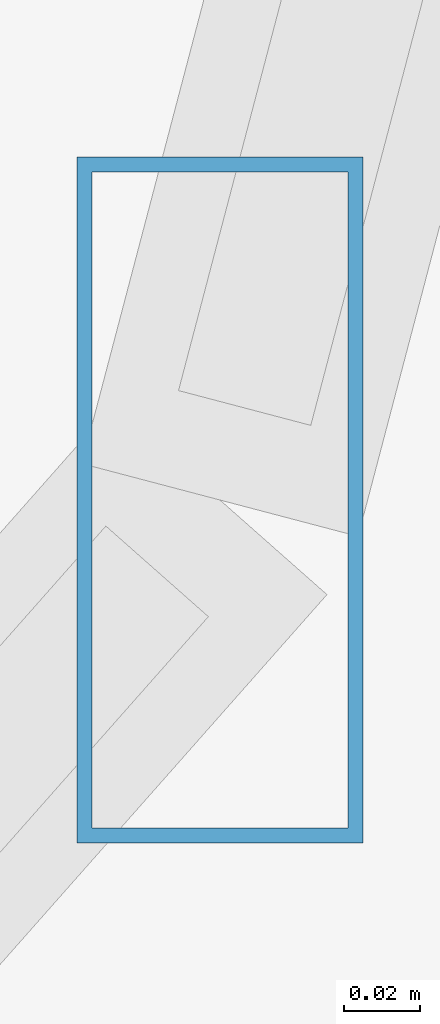
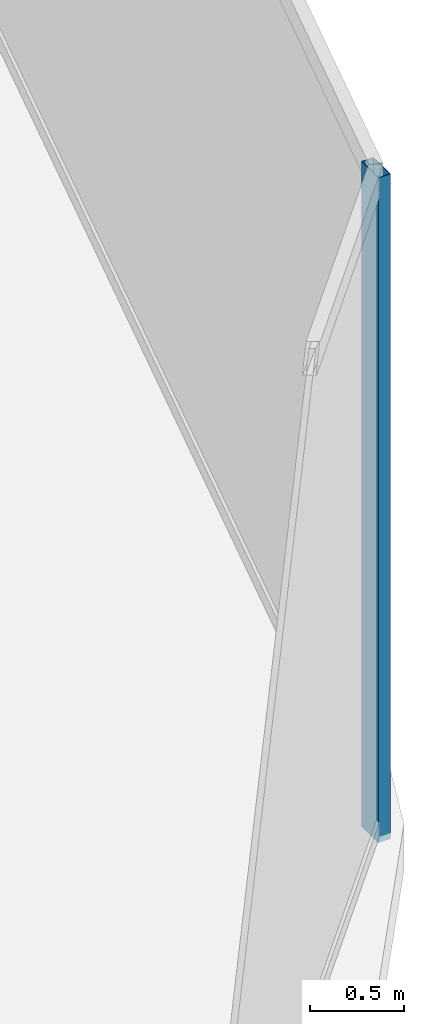
# One storey, part 13 of 27: 1 member, 1 element without a shape of its own.
"""IFC4 building model written with IfcOpenShell, lengths in metres."""

from ifc_helpers import new_model, si_unit, direction, frame, origin, origin_2d, place, context, subcontext, project, spatial, hollow_rectangle, extrude, material, material_profile, profile_set, type_object, element, aggregate, save


model = new_model("IFC4")

# Units and contexts
model_context = context("Model", 3, precision=1e-05, world=origin(), true_north=direction((0.0, 1.0)))
body_context = subcontext(model_context, "Body", "Model", "MODEL_VIEW")
ifc_project = project(units=[si_unit("LENGTHUNIT", "METRE"), si_unit("AREAUNIT", "SQUARE_METRE"), si_unit("VOLUMEUNIT", "CUBIC_METRE"), si_unit("PLANEANGLEUNIT", "RADIAN"), si_unit("MASSUNIT", "GRAM", prefix="KILO")], contexts=[model_context])

# Site, building, storey
site_placement = place(None, origin())
site = spatial("IfcSite", under=ifc_project, at=site_placement, CompositionType="ELEMENT")
building_placement = place(site_placement, origin())
building = spatial("IfcBuilding", under=site, at=building_placement, Name="Vorneva Point Tower", CompositionType="ELEMENT")
storey_placement = place(building_placement, frame((0.0, 0.0, 229.75)))
storey = spatial("IfcBuildingStorey", under=building, at=storey_placement, Name="L62", CompositionType="ELEMENT", Elevation=229.75)

# Curtain wall, member
ifc_material = material(Name="Pale anodised aluminium", Category="aluminium")
curtain_wall_type = type_object("IfcCurtainWallType", Name="CW-SKY-SYS", PredefinedType="NOTDEFINED", material=ifc_material)
curtain_wall_placement = place(storey_placement, origin())
curtain_wall = element("IfcCurtainWall", 1, at=curtain_wall_placement, inside=storey, type_object=curtain_wall_type, Name="L62 Unitised Curtain Wall CW-L62-R01", PredefinedType="NOTDEFINED")
ifc_material_profile = material_profile(ifc_material, hollow_rectangle(XDim=0.074951171875, YDim=0.179931640625, WallThickness=0.00390625, at=origin_2d()), Name="AL-MUL 180x75x4")
ifc_profile_set = profile_set([ifc_material_profile], Name="Pale anodised aluminium")
member_type = type_object("IfcMemberType", Name="CW-MUL-180", PredefinedType="MULLION", material=ifc_profile_set)
member_placement = place(storey_placement, frame((62.20556640625, 18.4189453125, -0.0400390625), z_axis=(0.0, 0.0, 1.0), x_axis=(1.0, 0.0, 0.0)))
member = element("IfcMember", 2, at=member_placement, type_object=member_type, Name="CW-L62-R01 Mullion 02", PredefinedType="MULLION", context=body_context, shape_type="SweptSolid", body=[
    extrude(hollow_rectangle(XDim=0.074951171875, YDim=0.179931640625, WallThickness=0.00390625, at=origin_2d()), origin(), (0.0, 0.0, 1.0), 4.31005859375),
])
aggregate(curtain_wall, [member])

save(model, "model.ifc")
